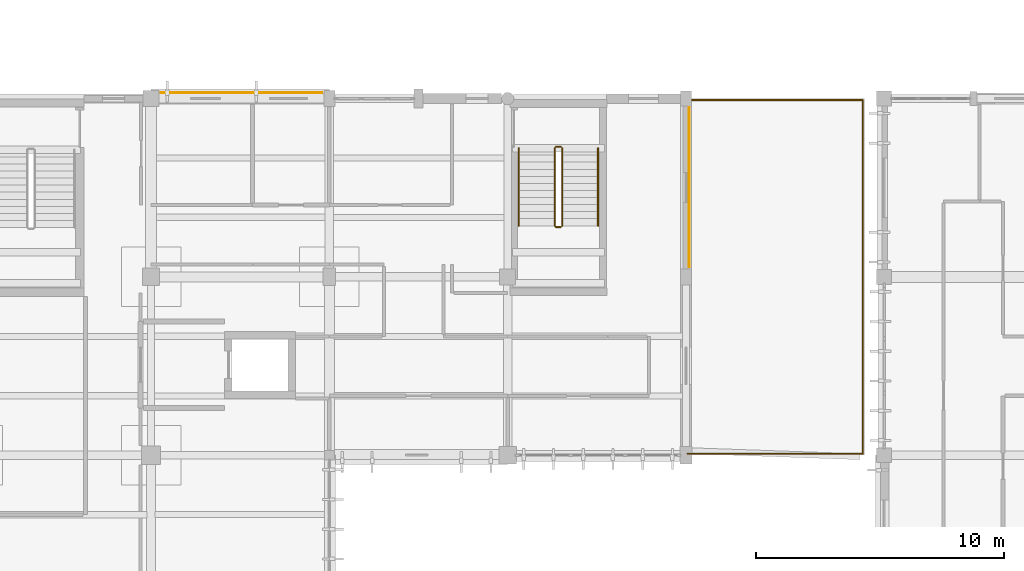
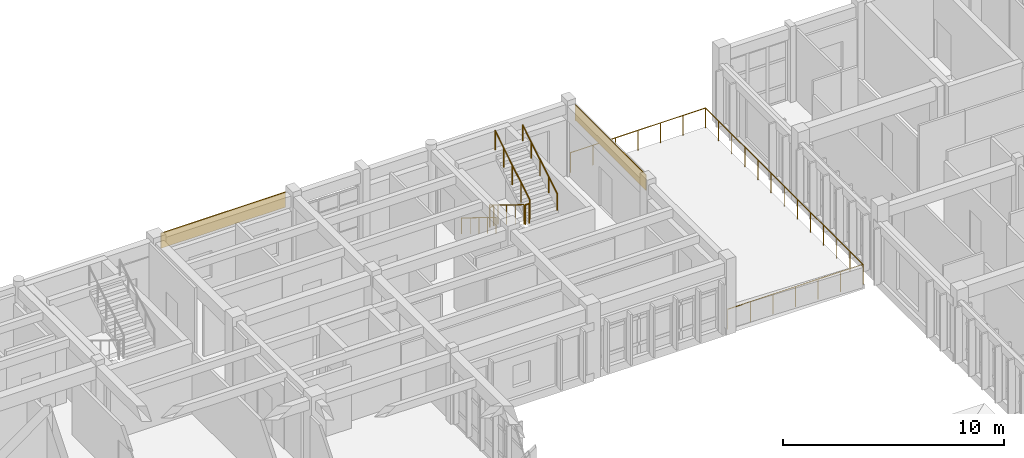
# One storey, part 50 of 51: 9 railings, 2 coverings.
"""IFC4 building model written with IfcOpenShell, lengths in metres."""

from ifc_helpers import new_model, si_unit, direction, frame, origin, origin_2d, place, context, subcontext, project, spatial, rectangle, circle, extrude, material, layer, layer_set, type_object, element, save


model = new_model("IFC4")

# Units and contexts
model_context = context("Model", 3, precision=1e-05, world=origin(), true_north=direction((0.0, 1.0)))
body_context = subcontext(model_context, "Body", "Model", "MODEL_VIEW")
ifc_project = project(units=[si_unit("LENGTHUNIT", "METRE"), si_unit("AREAUNIT", "SQUARE_METRE"), si_unit("VOLUMEUNIT", "CUBIC_METRE"), si_unit("PLANEANGLEUNIT", "RADIAN"), si_unit("MASSUNIT", "GRAM", prefix="KILO")], contexts=[model_context])

# Site, building, storey
site_placement = place(None, origin())
site = spatial("IfcSite", under=ifc_project, at=site_placement, CompositionType="ELEMENT")
building_placement = place(site_placement, origin())
building = spatial("IfcBuilding", under=site, at=building_placement, Name="Steenspoor Specialist Clinic", CompositionType="ELEMENT")
storey_placement = place(building_placement, frame((0.0, 0.0, 17.39990234375)))
storey = spatial("IfcBuildingStorey", under=building, at=storey_placement, Name="L04", CompositionType="ELEMENT", Elevation=17.39990234375)

# Coverings
ifc_material_1 = material(Name="Glulam GL28h timber screen louvre cladding", Category="wood")
ifc_layer = layer(ifc_material_1, 0.044921875)
ifc_layer_set = layer_set([ifc_layer], Name="Glulam GL28h timber screen louvre cladding")
covering_type = type_object("IfcCoveringType", Name="COV-CLAD-TIMBER", PredefinedType="CLADDING", material=ifc_layer_set)
covering_1_placement = place(storey_placement, frame((92.050048828125, 108.580078125, 3.0849609375), z_axis=(0.0, 0.0, 1.0), x_axis=(1.0, 0.0, 0.0)))
element("IfcCovering", 1, at=covering_1_placement, inside=storey, type_object=covering_type, Name="Spandrel Cladding 58", PredefinedType="CLADDING", context=body_context, shape_type="SweptSolid", body=[
    extrude(rectangle(XDim=6.530029296875, YDim=0.0400390625, at=origin_2d()), origin(), (0.0, 0.0, 1.0), 0.840087890625),
])
covering_2_placement = place(storey_placement, frame((110.139892578125, 104.762451171875, 3.0849609375), z_axis=(0.0, 0.0, 1.0), x_axis=(0.0, -1.0, 0.0)))
element("IfcCovering", 2, at=covering_2_placement, inside=storey, type_object=covering_type, Name="Spandrel Cladding 59", PredefinedType="CLADDING", context=body_context, shape_type="SweptSolid", body=[
    extrude(rectangle(XDim=6.455078125, YDim=0.0400390625, at=origin_2d()), origin(), (0.0, 0.0, 1.0), 0.840087890625),
])

# Railings
ifc_material_2 = material(Name="Galvanised architectural steel exterior guard", Category="steel")
railing_type_1 = type_object("IfcRailingType", Name="RAIL-EGUARD-1100", PredefinedType="GUARDRAIL", material=ifc_material_2)
railing_1_placement = place(storey_placement, frame((110.06005859375, 94.010009765625, 0.0)))
element("IfcRailing", 3, at=railing_1_placement, inside=storey, type_object=railing_type_1, Name="Terrace Perimeter Guard 10", PredefinedType="GUARDRAIL", context=body_context, shape_type="SweptSolid", body=[
    extrude(circle(Radius=0.02392578125, at=origin_2d()), frame((0.0, 0.0, 1.09619140625), z_axis=(1.0, 0.0, 0.0), x_axis=(0.0, 1.0, 0.0)), (0.0, 0.0, 1.0), 7.079833984375),
    extrude(circle(Radius=0.02099609375, at=origin_2d()), origin(), (0.0, 0.0, 1.0), 1.072021484375),
    extrude(circle(Radius=0.02099609375, at=origin_2d()), frame((1.179931640625, 0.0, 0.0)), (0.0, 0.0, 1.0), 1.072021484375),
    extrude(circle(Radius=0.02099609375, at=origin_2d()), frame((2.35986328125, 0.0, 0.0)), (0.0, 0.0, 1.0), 1.072021484375),
    extrude(circle(Radius=0.02099609375, at=origin_2d()), frame((3.5400390625, 0.0, 0.0)), (0.0, 0.0, 1.0), 1.072021484375),
    extrude(circle(Radius=0.02099609375, at=origin_2d()), frame((4.719970703125, 0.0, 0.0)), (0.0, 0.0, 1.0), 1.072021484375),
    extrude(circle(Radius=0.02099609375, at=origin_2d()), frame((5.89990234375, 0.0, 0.0)), (0.0, 0.0, 1.0), 1.072021484375),
    extrude(circle(Radius=0.02099609375, at=origin_2d()), frame((7.079833984375, 0.0, 0.0)), (0.0, 0.0, 1.0), 1.072021484375),
])
railing_2_placement = place(storey_placement, frame((117.139892578125, 94.010009765625, 0.0)))
element("IfcRailing", 4, at=railing_2_placement, inside=storey, type_object=railing_type_1, Name="Terrace Perimeter Guard 11", PredefinedType="GUARDRAIL", context=body_context, shape_type="SweptSolid", body=[
    extrude(circle(Radius=0.02392578125, at=origin_2d()), frame((0.0, 0.0, 1.09619140625), z_axis=(0.0, 1.0, 0.0), x_axis=(-1.0, 0.0, 0.0)), (0.0, 0.0, 1.0), 14.280029296875),
    extrude(circle(Radius=0.02099609375, at=origin_2d()), origin(), (0.0, 0.0, 1.0), 1.072021484375),
    extrude(circle(Radius=0.02099609375, at=origin_2d()), frame((0.0, 1.18994140625, 0.0)), (0.0, 0.0, 1.0), 1.072021484375),
    extrude(circle(Radius=0.02099609375, at=origin_2d()), frame((0.0, 2.3798828125, 0.0)), (0.0, 0.0, 1.0), 1.072021484375),
    extrude(circle(Radius=0.02099609375, at=origin_2d()), frame((0.0, 3.570068359375, 0.0)), (0.0, 0.0, 1.0), 1.072021484375),
    extrude(circle(Radius=0.02099609375, at=origin_2d()), frame((0.0, 4.760009765625, 0.0)), (0.0, 0.0, 1.0), 1.072021484375),
    extrude(circle(Radius=0.02099609375, at=origin_2d()), frame((0.0, 5.949951171875, 0.0)), (0.0, 0.0, 1.0), 1.072021484375),
    extrude(circle(Radius=0.02099609375, at=origin_2d()), frame((0.0, 7.14013671875, 0.0)), (0.0, 0.0, 1.0), 1.072021484375),
    extrude(circle(Radius=0.02099609375, at=origin_2d()), frame((0.0, 8.330078125, 0.0)), (0.0, 0.0, 1.0), 1.072021484375),
    extrude(circle(Radius=0.02099609375, at=origin_2d()), frame((0.0, 9.52001953125, 0.0)), (0.0, 0.0, 1.0), 1.072021484375),
    extrude(circle(Radius=0.02099609375, at=origin_2d()), frame((0.0, 10.7099609375, 0.0)), (0.0, 0.0, 1.0), 1.072021484375),
    extrude(circle(Radius=0.02099609375, at=origin_2d()), frame((0.0, 11.89990234375, 0.0)), (0.0, 0.0, 1.0), 1.072021484375),
    extrude(circle(Radius=0.02099609375, at=origin_2d()), frame((0.0, 13.090087890625, 0.0)), (0.0, 0.0, 1.0), 1.072021484375),
    extrude(circle(Radius=0.02099609375, at=origin_2d()), frame((0.0, 14.280029296875, 0.0)), (0.0, 0.0, 1.0), 1.072021484375),
])
railing_3_placement = place(storey_placement, frame((117.139892578125, 108.2900390625, 0.0)))
element("IfcRailing", 5, at=railing_3_placement, inside=storey, type_object=railing_type_1, Name="Terrace Perimeter Guard 12", PredefinedType="GUARDRAIL", context=body_context, shape_type="SweptSolid", body=[
    extrude(circle(Radius=0.02392578125, at=origin_2d()), frame((0.0, 0.0, 1.09619140625), z_axis=(-1.0, 0.0, 0.0), x_axis=(0.0, -1.0, 0.0)), (0.0, 0.0, 1.0), 7.079833984375),
    extrude(circle(Radius=0.02099609375, at=origin_2d()), origin(), (0.0, 0.0, 1.0), 1.072021484375),
    extrude(circle(Radius=0.02099609375, at=origin_2d()), frame((-1.179931640625, 0.0, 0.0)), (0.0, 0.0, 1.0), 1.072021484375),
    extrude(circle(Radius=0.02099609375, at=origin_2d()), frame((-2.35986328125, 0.0, 0.0)), (0.0, 0.0, 1.0), 1.072021484375),
    extrude(circle(Radius=0.02099609375, at=origin_2d()), frame((-3.5400390625, 0.0, 0.0)), (0.0, 0.0, 1.0), 1.072021484375),
    extrude(circle(Radius=0.02099609375, at=origin_2d()), frame((-4.719970703125, 0.0, 0.0)), (0.0, 0.0, 1.0), 1.072021484375),
    extrude(circle(Radius=0.02099609375, at=origin_2d()), frame((-5.89990234375, 0.0, 0.0)), (0.0, 0.0, 1.0), 1.072021484375),
    extrude(circle(Radius=0.02099609375, at=origin_2d()), frame((-7.079833984375, 0.0, 0.0)), (0.0, 0.0, 1.0), 1.072021484375),
])
ifc_material_3 = material(Name="Painted architectural steel balustrade", Category="steel")
railing_type_2 = type_object("IfcRailingType", Name="RAIL-GUARD-1100", PredefinedType="GUARDRAIL", material=ifc_material_3)
railing_4_placement = place(storey_placement, frame((104.699951171875, 106.35009765625, 0.175048828125)))
element("IfcRailing", 6, at=railing_4_placement, inside=storey, type_object=railing_type_2, Name="L04 ST-V4B stair guard 1", PredefinedType="GUARDRAIL", context=body_context, shape_type="SweptSolid", body=[
    extrude(circle(Radius=0.02392578125, at=origin_2d()), frame((0.0, 0.0, 1.076171875), z_axis=(0.0, -0.852166034122, 0.523271488128), x_axis=(1.0, 0.0, 0.0)), (0.0, 0.0, 1.0), 3.678955078125),
    extrude(circle(Radius=0.02099609375, at=origin_2d()), origin(), (0.0, 0.0, 1.0), 1.052001953125),
    extrude(circle(Radius=0.02099609375, at=origin_2d()), frame((0.0, -0.78369140625, 0.481201171875)), (0.0, 0.0, 1.0), 1.052001953125),
    extrude(circle(Radius=0.02099609375, at=origin_2d()), frame((0.0, -1.5673828125, 0.96240234375)), (0.0, 0.0, 1.0), 1.052001953125),
    extrude(circle(Radius=0.02099609375, at=origin_2d()), frame((0.0, -2.351318359375, 1.44384765625)), (0.0, 0.0, 1.0), 1.052001953125),
    extrude(circle(Radius=0.02099609375, at=origin_2d()), frame((0.0, -3.135009765625, 1.925048828125)), (0.0, 0.0, 1.0), 1.052001953125),
])
railing_5_placement = place(storey_placement, frame((104.75, 103.1650390625, 2.10009765625)))
element("IfcRailing", 7, at=railing_5_placement, inside=storey, type_object=railing_type_2, Name="L04 ST-V4B stair guard 2", PredefinedType="GUARDRAIL", context=body_context, shape_type="SweptSolid", body=[
    extrude(circle(Radius=0.02392578125, at=origin_2d()), frame((0.0, 0.0, 1.076171875), z_axis=(1.0, 0.0, 0.0), x_axis=(0.0, 1.0, 0.0)), (0.0, 0.0, 1.0), 0.199951171875),
    extrude(circle(Radius=0.02099609375, at=origin_2d()), origin(), (0.0, 0.0, 1.0), 1.052001953125),
    extrude(circle(Radius=0.02099609375, at=origin_2d()), frame((0.199951171875, 0.0, 0.0)), (0.0, 0.0, 1.0), 1.052001953125),
])
railing_6_placement = place(storey_placement, frame((105.0, 103.215087890625, 2.275146484375)))
element("IfcRailing", 8, at=railing_6_placement, inside=storey, type_object=railing_type_2, Name="L04 ST-V4B stair guard 3", PredefinedType="GUARDRAIL", context=body_context, shape_type="SweptSolid", body=[
    extrude(circle(Radius=0.02392578125, at=origin_2d()), frame((0.0, 0.0, 1.076171875), z_axis=(0.0, 0.852166034122, 0.523271488128), x_axis=(-1.0, 0.0, 0.0)), (0.0, 0.0, 1.0), 3.678955078125),
    extrude(circle(Radius=0.02099609375, at=origin_2d()), origin(), (0.0, 0.0, 1.0), 1.052001953125),
    extrude(circle(Radius=0.02099609375, at=origin_2d()), frame((0.0, 0.78369140625, 0.481201171875)), (0.0, 0.0, 1.0), 1.052001953125),
    extrude(circle(Radius=0.02099609375, at=origin_2d()), frame((0.0, 1.5673828125, 0.96240234375)), (0.0, 0.0, 1.0), 1.052001953125),
    extrude(circle(Radius=0.02099609375, at=origin_2d()), frame((0.0, 2.351318359375, 1.44384765625)), (0.0, 0.0, 1.0), 1.052001953125),
    extrude(circle(Radius=0.02099609375, at=origin_2d()), frame((0.0, 3.135009765625, 1.925048828125)), (0.0, 0.0, 1.0), 1.052001953125),
])
railing_7_placement = place(storey_placement, frame((104.75, 106.39990234375, 0.0)))
element("IfcRailing", 9, at=railing_7_placement, inside=storey, type_object=railing_type_2, Name="L04 ST-V4B stair guard 4", PredefinedType="GUARDRAIL", context=body_context, shape_type="SweptSolid", body=[
    extrude(circle(Radius=0.02392578125, at=origin_2d()), frame((0.0, 0.0, 1.076171875), z_axis=(1.0, 0.0, 0.0), x_axis=(0.0, 1.0, 0.0)), (0.0, 0.0, 1.0), 0.199951171875),
    extrude(circle(Radius=0.02099609375, at=origin_2d()), origin(), (0.0, 0.0, 1.0), 1.052001953125),
    extrude(circle(Radius=0.02099609375, at=origin_2d()), frame((0.199951171875, 0.0, 0.0)), (0.0, 0.0, 1.0), 1.052001953125),
])
ifc_material_4 = material(Name="Brushed stainless steel clinical handrail", Category="steel")
railing_type_3 = type_object("IfcRailingType", Name="RAIL-HAND-900", PredefinedType="HANDRAIL", material=ifc_material_4)
railing_8_placement = place(storey_placement, frame((103.25, 106.35009765625, 0.175048828125)))
element("IfcRailing", 10, at=railing_8_placement, inside=storey, type_object=railing_type_3, Name="L04 ST-V4B stair handrail 1", PredefinedType="HANDRAIL", context=body_context, shape_type="SweptSolid", body=[
    extrude(circle(Radius=0.02392578125, at=origin_2d()), frame((0.0, 0.0, 0.8759765625), z_axis=(0.0, -0.852166034122, 0.523271488128), x_axis=(1.0, 0.0, 0.0)), (0.0, 0.0, 1.0), 3.678955078125),
    extrude(circle(Radius=0.02099609375, at=origin_2d()), origin(), (0.0, 0.0, 1.0), 0.851806640625),
    extrude(circle(Radius=0.02099609375, at=origin_2d()), frame((0.0, -0.78369140625, 0.481201171875)), (0.0, 0.0, 1.0), 0.851806640625),
    extrude(circle(Radius=0.02099609375, at=origin_2d()), frame((0.0, -1.5673828125, 0.96240234375)), (0.0, 0.0, 1.0), 0.851806640625),
    extrude(circle(Radius=0.02099609375, at=origin_2d()), frame((0.0, -2.351318359375, 1.44384765625)), (0.0, 0.0, 1.0), 0.851806640625),
    extrude(circle(Radius=0.02099609375, at=origin_2d()), frame((0.0, -3.135009765625, 1.925048828125)), (0.0, 0.0, 1.0), 0.851806640625),
])
railing_9_placement = place(storey_placement, frame((106.449951171875, 103.215087890625, 2.275146484375)))
element("IfcRailing", 11, at=railing_9_placement, inside=storey, type_object=railing_type_3, Name="L04 ST-V4B stair handrail 2", PredefinedType="HANDRAIL", context=body_context, shape_type="SweptSolid", body=[
    extrude(circle(Radius=0.02392578125, at=origin_2d()), frame((0.0, 0.0, 0.8759765625), z_axis=(0.0, 0.852166034122, 0.523271488128), x_axis=(-1.0, 0.0, 0.0)), (0.0, 0.0, 1.0), 3.678955078125),
    extrude(circle(Radius=0.02099609375, at=origin_2d()), origin(), (0.0, 0.0, 1.0), 0.851806640625),
    extrude(circle(Radius=0.02099609375, at=origin_2d()), frame((0.0, 0.78369140625, 0.481201171875)), (0.0, 0.0, 1.0), 0.851806640625),
    extrude(circle(Radius=0.02099609375, at=origin_2d()), frame((0.0, 1.5673828125, 0.96240234375)), (0.0, 0.0, 1.0), 0.851806640625),
    extrude(circle(Radius=0.02099609375, at=origin_2d()), frame((0.0, 2.351318359375, 1.44384765625)), (0.0, 0.0, 1.0), 0.851806640625),
    extrude(circle(Radius=0.02099609375, at=origin_2d()), frame((0.0, 3.135009765625, 1.925048828125)), (0.0, 0.0, 1.0), 0.851806640625),
])

save(model, "model.ifc")
